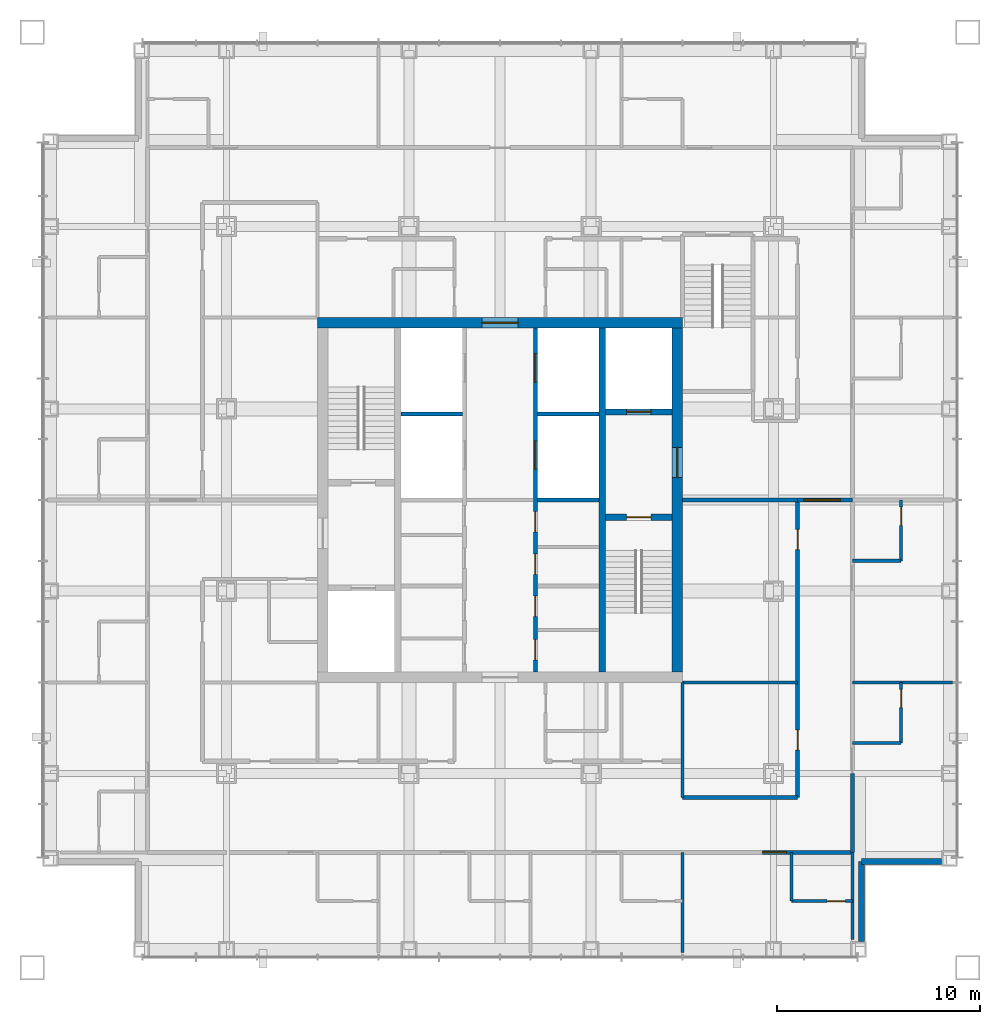
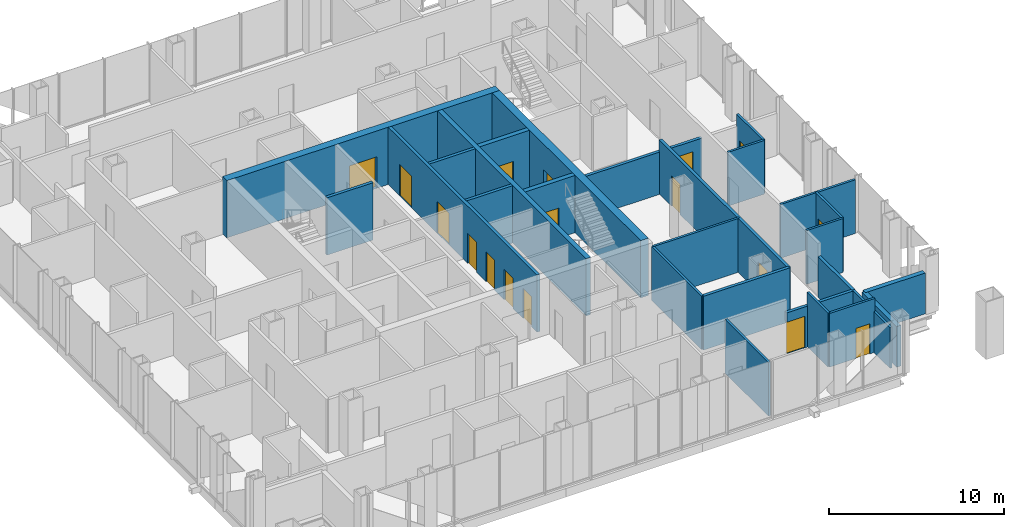
# One storey, part 8 of 11: 28 walls, 17 doors, 17 openings.
"""IFC4 building model written with IfcOpenShell, lengths in metres."""

from ifc_helpers import new_model, si_unit, direction, frame, frame_2d, origin, place, context, subcontext, project, spatial, rectangle, extrude, material, layer, layer_set, type_object, element, fill, save


model = new_model("IFC4")

# Units and contexts
model_context = context("Model", 3, precision=1e-05, world=origin(), true_north=direction((0.0, 1.0)))
body_context = subcontext(model_context, "Body", "Model", "MODEL_VIEW")
ifc_project = project(units=[si_unit("LENGTHUNIT", "METRE"), si_unit("AREAUNIT", "SQUARE_METRE"), si_unit("VOLUMEUNIT", "CUBIC_METRE"), si_unit("PLANEANGLEUNIT", "RADIAN"), si_unit("MASSUNIT", "GRAM", prefix="KILO")], contexts=[model_context])

# Site, building, storey
site_placement = place(None, origin())
site = spatial("IfcSite", under=ifc_project, at=site_placement, CompositionType="ELEMENT")
building_placement = place(site_placement, origin())
building = spatial("IfcBuilding", under=site, at=building_placement, Name="Malebo Sky Hospital", CompositionType="ELEMENT")
storey_placement = place(building_placement, frame((0.0, 0.0, 201.0)))
storey = spatial("IfcBuildingStorey", under=building, at=storey_placement, Name="L48", CompositionType="ELEMENT", Elevation=201.0)

# Wall, openings, doors
ifc_material_1 = material(Name="Concrete C80/95", Category="concrete")
ifc_layer_1 = layer(ifc_material_1, 0.199951171875)
ifc_layer_set_1 = layer_set([ifc_layer_1], Name="CORE INNER WALL 200")
wall_type_1 = type_object("IfcWallType", Name="CORE INNER WALL 200", PredefinedType="SHEAR", material=ifc_layer_set_1)
wall_1_placement = place(storey_placement, frame((61.75, 53.5, 0.0), z_axis=(0.0, 0.0, 1.0), x_axis=(0.0, 1.0, 0.0)))
wall_1 = element("IfcWall", 1, at=wall_1_placement, inside=storey, type_object=wall_type_1, Name="Core wall LE L48", PredefinedType="SHEAR", context=body_context, shape_type="SweptSolid", body=[
    extrude(rectangle(XDim=17.0, YDim=0.199951171875, at=frame_2d((8.5, 0.0))), origin(), (0.0, 0.0, 1.0), 4.0),
])
opening_1_placement = place(wall_1_placement, frame((0.60009765625, 0.0, 0.0)))
opening_1 = element("IfcOpeningElement", 2, at=opening_1_placement, cuts=wall_1, Name="Opening D17", PredefinedType="OPENING", context=body_context, shape_type="SweptSolid", body=[
    extrude(rectangle(XDim=1.0, YDim=2.10009765625, at=frame_2d((0.5, 1.050048828125))), frame((0.0, 0.10986328125, 0.0), z_axis=(0.0, -1.0, 0.0), x_axis=(1.0, 0.0, 0.0)), (0.0, 0.0, 1.0), 0.219970703125),
])
opening_2_placement = place(wall_1_placement, frame((2.75, 0.0, 0.0)))
opening_2 = element("IfcOpeningElement", 3, at=opening_2_placement, cuts=wall_1, Name="Opening D17", PredefinedType="OPENING", context=body_context, shape_type="SweptSolid", body=[
    extrude(rectangle(XDim=1.0, YDim=2.10009765625, at=frame_2d((0.5, 1.050048828125))), frame((0.0, 0.10986328125, 0.0), z_axis=(0.0, -1.0, 0.0), x_axis=(1.0, 0.0, 0.0)), (0.0, 0.0, 1.0), 0.219970703125),
])
opening_3_placement = place(wall_1_placement, frame((4.823974609375, 0.0, 0.0)))
opening_3 = element("IfcOpeningElement", 4, at=opening_3_placement, cuts=wall_1, Name="Opening D17", PredefinedType="OPENING", context=body_context, shape_type="SweptSolid", body=[
    extrude(rectangle(XDim=1.0, YDim=2.10009765625, at=frame_2d((0.5, 1.050048828125))), frame((0.0, 0.10986328125, 0.0), z_axis=(0.0, -1.0, 0.0), x_axis=(1.0, 0.0, 0.0)), (0.0, 0.0, 1.0), 0.219970703125),
])
opening_4_placement = place(wall_1_placement, frame((6.924072265625, 0.0, 0.0)))
opening_4 = element("IfcOpeningElement", 5, at=opening_4_placement, cuts=wall_1, Name="Opening D17", PredefinedType="OPENING", context=body_context, shape_type="SweptSolid", body=[
    extrude(rectangle(XDim=1.0, YDim=2.10009765625, at=frame_2d((0.5, 1.050048828125))), frame((0.0, 0.10986328125, 0.0), z_axis=(0.0, -1.0, 0.0), x_axis=(1.0, 0.0, 0.0)), (0.0, 0.0, 1.0), 0.219970703125),
])
opening_5_placement = place(wall_1_placement, frame((10.02490234375, 0.0, 0.0)))
opening_5 = element("IfcOpeningElement", 6, at=opening_5_placement, cuts=wall_1, Name="Opening LD1", PredefinedType="OPENING", context=body_context, shape_type="SweptSolid", body=[
    extrude(rectangle(XDim=1.39990234375, YDim=2.199951171875, at=frame_2d((0.699951171875, 1.10009765625))), frame((0.0, 0.10986328125, 0.0), z_axis=(0.0, -1.0, 0.0), x_axis=(1.0, 0.0, 0.0)), (0.0, 0.0, 1.0), 0.219970703125),
])
opening_6_placement = place(wall_1_placement, frame((14.324951171875, 0.0, 0.0)))
opening_6 = element("IfcOpeningElement", 7, at=opening_6_placement, cuts=wall_1, Name="Opening LD1", PredefinedType="OPENING", context=body_context, shape_type="SweptSolid", body=[
    extrude(rectangle(XDim=1.39990234375, YDim=2.199951171875, at=frame_2d((0.699951171875, 1.10009765625))), frame((0.0, 0.10986328125, 0.0), z_axis=(0.0, -1.0, 0.0), x_axis=(1.0, 0.0, 0.0)), (0.0, 0.0, 1.0), 0.219970703125),
])
ifc_material_2 = material(Name="Hardwood-faced door leaf in steel frame", Category="steel")
door_type_1 = type_object("IfcDoorType", Name="FIRE DOOR 1000", OperationType="SINGLE_SWING_LEFT", PredefinedType="DOOR", material=ifc_material_2)
door_1_placement = place(opening_1_placement, origin())
door_1 = element("IfcDoor", 8, at=door_1_placement, inside=storey, type_object=door_type_1, Name="Supplies store door", OperationType="SINGLE_SWING_RIGHT", OverallHeight=2.10009765625, OverallWidth=1.0, PredefinedType="DOOR", context=body_context, shape_type="SweptSolid", body=[
    extrude(rectangle(XDim=1.0, YDim=2.10009765625, at=frame_2d((0.5, 1.050048828125))), frame((0.0, 0.02490234375, 0.0), z_axis=(0.0, -1.0, 0.0), x_axis=(1.0, 0.0, 0.0)), (0.0, 0.0, 1.0), 0.050048828125),
])
fill(opening_1, door_1)
door_2_placement = place(opening_2_placement, origin())
door_2 = element("IfcDoor", 9, at=door_2_placement, inside=storey, type_object=door_type_1, Name="Mattress store door", OperationType="SINGLE_SWING_RIGHT", OverallHeight=2.10009765625, OverallWidth=1.0, PredefinedType="DOOR", context=body_context, shape_type="SweptSolid", body=[
    extrude(rectangle(XDim=1.0, YDim=2.10009765625, at=frame_2d((0.5, 1.050048828125))), frame((0.0, 0.02490234375, 0.0), z_axis=(0.0, -1.0, 0.0), x_axis=(1.0, 0.0, 0.0)), (0.0, 0.0, 1.0), 0.050048828125),
])
fill(opening_2, door_2)
door_3_placement = place(opening_3_placement, origin())
door_3 = element("IfcDoor", 10, at=door_3_placement, inside=storey, type_object=door_type_1, Name="Cleaning equipment store door", OperationType="SINGLE_SWING_RIGHT", OverallHeight=2.10009765625, OverallWidth=1.0, PredefinedType="DOOR", context=body_context, shape_type="SweptSolid", body=[
    extrude(rectangle(XDim=1.0, YDim=2.10009765625, at=frame_2d((0.5, 1.050048828125))), frame((0.0, 0.02490234375, 0.0), z_axis=(0.0, -1.0, 0.0), x_axis=(1.0, 0.0, 0.0)), (0.0, 0.0, 1.0), 0.050048828125),
])
fill(opening_3, door_3)
door_4_placement = place(opening_4_placement, origin())
door_4 = element("IfcDoor", 11, at=door_4_placement, inside=storey, type_object=door_type_1, Name="Archive store door", OperationType="SINGLE_SWING_RIGHT", OverallHeight=2.10009765625, OverallWidth=1.0, PredefinedType="DOOR", context=body_context, shape_type="SweptSolid", body=[
    extrude(rectangle(XDim=1.0, YDim=2.10009765625, at=frame_2d((0.5, 1.050048828125))), frame((0.0, 0.02490234375, 0.0), z_axis=(0.0, -1.0, 0.0), x_axis=(1.0, 0.0, 0.0)), (0.0, 0.0, 1.0), 0.050048828125),
])
fill(opening_4, door_4)
ifc_material_3 = material(Name="Stainless steel sliding landing door", Category="steel")
door_type_2 = type_object("IfcDoorType", Name="LIFT LANDING DOOR 1400", OperationType="SLIDING_TO_LEFT", PredefinedType="DOOR", material=ifc_material_3)
door_5_placement = place(opening_5_placement, origin())
door_5 = element("IfcDoor", 12, at=door_5_placement, inside=storey, type_object=door_type_2, Name="Lift E3 landing door", OperationType="SLIDING_TO_LEFT", OverallHeight=2.199951171875, OverallWidth=1.39990234375, PredefinedType="DOOR", context=body_context, shape_type="SweptSolid", body=[
    extrude(rectangle(XDim=1.39990234375, YDim=2.199951171875, at=frame_2d((0.699951171875, 1.10009765625))), frame((0.0, 0.02490234375, 0.0), z_axis=(0.0, -1.0, 0.0), x_axis=(1.0, 0.0, 0.0)), (0.0, 0.0, 1.0), 0.050048828125),
])
fill(opening_5, door_5)
door_6_placement = place(opening_6_placement, origin())
door_6 = element("IfcDoor", 13, at=door_6_placement, inside=storey, type_object=door_type_2, Name="Lift E4 landing door", OperationType="SLIDING_TO_LEFT", OverallHeight=2.199951171875, OverallWidth=1.39990234375, PredefinedType="DOOR", context=body_context, shape_type="SweptSolid", body=[
    extrude(rectangle(XDim=1.39990234375, YDim=2.199951171875, at=frame_2d((0.699951171875, 1.10009765625))), frame((0.0, 0.02490234375, 0.0), z_axis=(0.0, -1.0, 0.0), x_axis=(1.0, 0.0, 0.0)), (0.0, 0.0, 1.0), 0.050048828125),
])
fill(opening_6, door_6)

# Walls
for number, where, z_axis, x_axis, name in (
    (14, (61.85009765625, 62.0, 0.0), (0.0, 0.0, 1.0), (1.0, 0.0, 0.0), "Core wall SE1 L48"),
    (15, (55.10009765625, 66.25, 0.0), (0.0, 0.0, 1.0), (1.0, 0.0, 0.0), "Core wall SW2 L48"),
    (16, (61.85009765625, 66.25, 0.0), (0.0, 0.0, 1.0), (1.0, 0.0, 0.0), "Core wall SE2 L48"),
):
    element("IfcWall", number, at=place(storey_placement, frame(where, z_axis=z_axis, x_axis=x_axis)), inside=storey, type_object=wall_type_1, Name=name, PredefinedType="SHEAR", context=body_context, shape_type="SweptSolid", body=[
        extrude(rectangle(XDim=3.0498046875, YDim=0.199951171875, at=frame_2d((1.52490234375, 0.0))), origin(), (0.0, 0.0, 1.0), 4.0),
    ])
ifc_layer_2 = layer(ifc_material_1, 0.300048828125)
ifc_layer_set_2 = layer_set([ifc_layer_2], Name="CORE INNER WALL 300")
wall_type_2 = type_object("IfcWallType", Name="CORE INNER WALL 300", PredefinedType="SHEAR", material=ifc_layer_set_2)
wall_2_placement = place(storey_placement, frame((65.050048828125, 53.5, 0.0), z_axis=(0.0, 0.0, 1.0), x_axis=(0.0, 1.0, 0.0)))
element("IfcWall", 17, at=wall_2_placement, inside=storey, type_object=wall_type_2, Name="Core wall XE L48", PredefinedType="SHEAR", context=body_context, shape_type="SweptSolid", body=[
    extrude(rectangle(XDim=17.0, YDim=0.300048828125, at=frame_2d((8.5, 0.0))), origin(), (0.0, 0.0, 1.0), 4.0),
])

# Wall, opening, door
wall_3_placement = place(storey_placement, frame((65.199951171875, 61.14990234375, 0.0), z_axis=(0.0, 0.0, 1.0), x_axis=(1.0, 0.0, 0.0)))
wall_3 = element("IfcWall", 18, at=wall_3_placement, inside=storey, type_object=wall_type_2, Name="Core wall E1 L48", PredefinedType="SHEAR", context=body_context, shape_type="SweptSolid", body=[
    extrude(rectangle(XDim=3.300048828125, YDim=0.300048828125, at=frame_2d((1.64990234375, 0.0))), origin(), (0.0, 0.0, 1.0), 4.0),
])
opening_7_placement = place(wall_3_placement, frame((1.050048828125, 0.0, 0.0)))
opening_7 = element("IfcOpeningElement", 19, at=opening_7_placement, cuts=wall_3, Name="Opening D08", PredefinedType="OPENING", context=body_context, shape_type="SweptSolid", body=[
    extrude(rectangle(XDim=1.199951171875, YDim=2.10009765625, at=frame_2d((0.60009765625, 1.050048828125))), frame((0.0, 0.159912109375, 0.0), z_axis=(0.0, -1.0, 0.0), x_axis=(1.0, 0.0, 0.0)), (0.0, 0.0, 1.0), 0.320068359375),
])
door_type_3 = type_object("IfcDoorType", Name="STAIR DOOR 1200", OperationType="SINGLE_SWING_LEFT", PredefinedType="DOOR", material=ifc_material_2)
door_7_placement = place(opening_7_placement, origin())
door_7 = element("IfcDoor", 20, at=door_7_placement, inside=storey, type_object=door_type_3, Name="Stair S2 door", OperationType="SINGLE_SWING_LEFT", OverallHeight=2.10009765625, OverallWidth=1.199951171875, PredefinedType="DOOR", context=body_context, shape_type="SweptSolid", body=[
    extrude(rectangle(XDim=1.199951171875, YDim=2.10009765625, at=frame_2d((0.60009765625, 1.050048828125))), frame((0.0, 0.02490234375, 0.0), z_axis=(0.0, -1.0, 0.0), x_axis=(1.0, 0.0, 0.0)), (0.0, 0.0, 1.0), 0.050048828125),
])
fill(opening_7, door_7)

wall_4_placement = place(storey_placement, frame((65.199951171875, 66.35009765625, 0.0), z_axis=(0.0, 0.0, 1.0), x_axis=(1.0, 0.0, 0.0)))
wall_4 = element("IfcWall", 21, at=wall_4_placement, inside=storey, type_object=wall_type_2, Name="Core wall E2 L48", PredefinedType="SHEAR", context=body_context, shape_type="SweptSolid", body=[
    extrude(rectangle(XDim=3.300048828125, YDim=0.300048828125, at=frame_2d((1.64990234375, 0.0))), origin(), (0.0, 0.0, 1.0), 4.0),
])
opening_8_placement = place(wall_4_placement, frame((1.050048828125, 0.0, 0.0)))
opening_8 = element("IfcOpeningElement", 22, at=opening_8_placement, cuts=wall_4, Name="Opening LD2", PredefinedType="OPENING", context=body_context, shape_type="SweptSolid", body=[
    extrude(rectangle(XDim=1.199951171875, YDim=2.199951171875, at=frame_2d((0.60009765625, 1.10009765625))), frame((0.0, 0.159912109375, 0.0), z_axis=(0.0, -1.0, 0.0), x_axis=(1.0, 0.0, 0.0)), (0.0, 0.0, 1.0), 0.320068359375),
])
door_type_4 = type_object("IfcDoorType", Name="FIRE-FIGHTING LIFT LANDING DOOR 1200", OperationType="SLIDING_TO_LEFT", PredefinedType="DOOR", material=ifc_material_3)
door_8_placement = place(opening_8_placement, origin())
door_8 = element("IfcDoor", 23, at=door_8_placement, inside=storey, type_object=door_type_4, Name="Lift FL2 landing door", OperationType="SLIDING_TO_LEFT", OverallHeight=2.199951171875, OverallWidth=1.199951171875, PredefinedType="DOOR", context=body_context, shape_type="SweptSolid", body=[
    extrude(rectangle(XDim=1.199951171875, YDim=2.199951171875, at=frame_2d((0.60009765625, 1.10009765625))), frame((0.0, 0.02490234375, 0.0), z_axis=(0.0, -1.0, 0.0), x_axis=(1.0, 0.0, 0.0)), (0.0, 0.0, 1.0), 0.050048828125),
])
fill(opening_8, door_8)

ifc_layer_3 = layer(ifc_material_1, 0.5)
ifc_layer_set_3 = layer_set([ifc_layer_3], Name="CORE WALL 500")
wall_type_3 = type_object("IfcWallType", Name="CORE WALL 500", PredefinedType="SHEAR", material=ifc_layer_set_3)
wall_5_placement = place(storey_placement, frame((51.0, 70.75, 0.0), z_axis=(0.0, 0.0, 1.0), x_axis=(1.0, 0.0, 0.0)))
wall_5 = element("IfcWall", 24, at=wall_5_placement, inside=storey, type_object=wall_type_3, Name="Core wall N L48", PredefinedType="SHEAR", context=body_context, shape_type="SweptSolid", body=[
    extrude(rectangle(XDim=18.0, YDim=0.5, at=frame_2d((9.0, 0.0))), origin(), (0.0, 0.0, 1.0), 4.0),
])
opening_9_placement = place(wall_5_placement, frame((8.10009765625, 0.0, 0.0)))
opening_9 = element("IfcOpeningElement", 25, at=opening_9_placement, cuts=wall_5, Name="Opening D06", PredefinedType="OPENING", context=body_context, shape_type="SweptSolid", body=[
    extrude(rectangle(XDim=1.800048828125, YDim=2.199951171875, at=frame_2d((0.89990234375, 1.10009765625))), frame((0.0, 0.260009765625, 0.0), z_axis=(0.0, -1.0, 0.0), x_axis=(1.0, 0.0, 0.0)), (0.0, 0.0, 1.0), 0.52001953125),
])
door_type_5 = type_object("IfcDoorType", Name="LOBBY DOOR PAIR 1800", OperationType="DOUBLE_DOOR_SINGLE_SWING", PredefinedType="DOOR", material=ifc_material_2)
door_9_placement = place(opening_9_placement, origin())
door_9 = element("IfcDoor", 26, at=door_9_placement, inside=storey, type_object=door_type_5, Name="Lift lobby door north", OperationType="DOUBLE_DOOR_SINGLE_SWING", OverallHeight=2.199951171875, OverallWidth=1.800048828125, PredefinedType="DOOR", context=body_context, shape_type="SweptSolid", body=[
    extrude(rectangle(XDim=1.800048828125, YDim=2.199951171875, at=frame_2d((0.89990234375, 1.10009765625))), frame((0.0, 0.02490234375, 0.0), z_axis=(0.0, -1.0, 0.0), x_axis=(1.0, 0.0, 0.0)), (0.0, 0.0, 1.0), 0.050048828125),
])
fill(opening_9, door_9)

wall_6_placement = place(storey_placement, frame((68.75, 53.5, 0.0), z_axis=(0.0, 0.0, 1.0), x_axis=(0.0, 1.0, 0.0)))
wall_6 = element("IfcWall", 27, at=wall_6_placement, inside=storey, type_object=wall_type_3, Name="Core wall E L48", PredefinedType="SHEAR", context=body_context, shape_type="SweptSolid", body=[
    extrude(rectangle(XDim=17.0, YDim=0.5, at=frame_2d((8.5, 0.0))), origin(), (0.0, 0.0, 1.0), 4.0),
])
opening_10_placement = place(wall_6_placement, frame((9.60009765625, 0.0, 0.0)))
opening_10 = element("IfcOpeningElement", 28, at=opening_10_placement, cuts=wall_6, Name="Opening D07", PredefinedType="OPENING", context=body_context, shape_type="SweptSolid", body=[
    extrude(rectangle(XDim=1.5, YDim=2.199951171875, at=frame_2d((0.75, 1.10009765625))), frame((0.0, 0.260009765625, 0.0), z_axis=(0.0, -1.0, 0.0), x_axis=(1.0, 0.0, 0.0)), (0.0, 0.0, 1.0), 0.52001953125),
])
door_type_6 = type_object("IfcDoorType", Name="FIRE-FIGHTING LOBBY DOOR PAIR 1500", OperationType="DOUBLE_DOOR_SINGLE_SWING", PredefinedType="DOOR", material=ifc_material_2)
door_10_placement = place(opening_10_placement, origin())
door_10 = element("IfcDoor", 29, at=door_10_placement, inside=storey, type_object=door_type_6, Name="Fire-fighting lobby door east", OperationType="DOUBLE_DOOR_SINGLE_SWING", OverallHeight=2.199951171875, OverallWidth=1.5, PredefinedType="DOOR", context=body_context, shape_type="SweptSolid", body=[
    extrude(rectangle(XDim=1.5, YDim=2.199951171875, at=frame_2d((0.75, 1.10009765625))), frame((0.0, 0.02490234375, 0.0), z_axis=(0.0, -1.0, 0.0), x_axis=(1.0, 0.0, 0.0)), (0.0, 0.0, 1.0), 0.050048828125),
])
fill(opening_10, door_10)

ifc_material_4 = material(Name="Gypsum board on steel studs", Category="steel")
ifc_layer_4 = layer(ifc_material_4, 0.199951171875)
ifc_layer_set_4 = layer_set([ifc_layer_4], Name="CORRIDOR WALL 200")
wall_type_4 = type_object("IfcWallType", Name="CORRIDOR WALL 200", PredefinedType="PARTITIONING", material=ifc_layer_set_4)
wall_7_placement = place(storey_placement, frame((77.39990234375, 44.60009765625, 0.0), z_axis=(0.0, 0.0, 1.0), x_axis=(-1.0, 0.0, 0.0)))
wall_7 = element("IfcWall", 30, at=wall_7_placement, inside=storey, type_object=wall_type_4, Name="Corridor Wall 200 SCO", PredefinedType="PARTITIONING", context=body_context, shape_type="SweptSolid", body=[
    extrude(rectangle(XDim=4.449951171875, YDim=0.199951171875, at=frame_2d((2.22509765625, 0.0))), origin(), (0.0, 0.0, 1.0), 2.85009765625),
])
opening_11_placement = place(wall_7_placement, frame((3.25, 0.0, 0.0)))
opening_11 = element("IfcOpeningElement", 31, at=opening_11_placement, cuts=wall_7, Name="Opening D01", PredefinedType="OPENING", context=body_context, shape_type="SweptSolid", body=[
    extrude(rectangle(XDim=1.199951171875, YDim=2.199951171875, at=frame_2d((0.60009765625, 1.10009765625))), frame((0.0, 0.10986328125, 0.0), z_axis=(0.0, -1.0, 0.0), x_axis=(1.0, 0.0, 0.0)), (0.0, 0.0, 1.0), 0.219970703125),
])
door_type_7 = type_object("IfcDoorType", Name="BED DOOR 1200", OperationType="SINGLE_SWING_LEFT", PredefinedType="DOOR", material=ifc_material_2)
door_11_placement = place(opening_11_placement, origin())
door_11 = element("IfcDoor", 32, at=door_11_placement, inside=storey, type_object=door_type_7, Name="Birthing room door", OperationType="SINGLE_SWING_LEFT", OverallHeight=2.199951171875, OverallWidth=1.199951171875, PredefinedType="DOOR", context=body_context, shape_type="SweptSolid", body=[
    extrude(rectangle(XDim=1.199951171875, YDim=2.199951171875, at=frame_2d((0.60009765625, 1.10009765625))), frame((0.0, 0.02490234375, 0.0), z_axis=(0.0, -1.0, 0.0), x_axis=(1.0, 0.0, 0.0)), (0.0, 0.0, 1.0), 0.050048828125),
])
fill(opening_11, door_11)

# Walls
wall_8_placement = place(storey_placement, frame((74.699951171875, 47.300048828125, 0.0), z_axis=(0.0, 0.0, 1.0), x_axis=(-1.0, 0.0, 0.0)))
element("IfcWall", 33, at=wall_8_placement, inside=storey, type_object=wall_type_4, Name="Corridor Wall 200 SCIK", PredefinedType="PARTITIONING", context=body_context, shape_type="SweptSolid", body=[
    extrude(rectangle(XDim=5.699951171875, YDim=0.199951171875, at=frame_2d((2.85009765625, 0.0))), origin(), (0.0, 0.0, 1.0), 3.75),
])
wall_9_placement = place(storey_placement, frame((77.39990234375, 48.5, 0.0), z_axis=(0.0, 0.0, 1.0), x_axis=(0.0, -1.0, 0.0)))
element("IfcWall", 34, at=wall_9_placement, inside=storey, type_object=wall_type_4, Name="Corridor Wall 200 ECO", PredefinedType="PARTITIONING", context=body_context, shape_type="SweptSolid", body=[
    extrude(rectangle(XDim=3.89990234375, YDim=0.199951171875, at=frame_2d((1.949951171875, 0.0))), origin(), (0.0, 0.0, 1.0), 2.85009765625),
])

# Wall, openings, doors
wall_10_placement = place(storey_placement, frame((74.699951171875, 62.0, 0.0), z_axis=(0.0, 0.0, 1.0), x_axis=(0.0, -1.0, 0.0)))
wall_10 = element("IfcWall", 35, at=wall_10_placement, inside=storey, type_object=wall_type_4, Name="Corridor Wall 200 ECI2", PredefinedType="PARTITIONING", context=body_context, shape_type="SweptSolid", body=[
    extrude(rectangle(XDim=14.699951171875, YDim=0.199951171875, at=frame_2d((7.35009765625, 0.0))), origin(), (0.0, 0.0, 1.0), 3.75),
])
opening_12_placement = place(wall_10_placement, frame((1.449951171875, 0.0, 0.0)))
opening_12 = element("IfcOpeningElement", 36, at=opening_12_placement, cuts=wall_10, Name="Opening D03", PredefinedType="OPENING", context=body_context, shape_type="SweptSolid", body=[
    extrude(rectangle(XDim=1.0, YDim=2.10009765625, at=frame_2d((0.5, 1.050048828125))), frame((0.0, 0.10986328125, 0.0), z_axis=(0.0, -1.0, 0.0), x_axis=(1.0, 0.0, 0.0)), (0.0, 0.0, 1.0), 0.219970703125),
])
opening_13_placement = place(wall_10_placement, frame((11.35009765625, 0.0, 0.0)))
opening_13 = element("IfcOpeningElement", 37, at=opening_13_placement, cuts=wall_10, Name="Opening D03", PredefinedType="OPENING", context=body_context, shape_type="SweptSolid", body=[
    extrude(rectangle(XDim=1.0, YDim=2.10009765625, at=frame_2d((0.5, 1.050048828125))), frame((0.0, 0.10986328125, 0.0), z_axis=(0.0, -1.0, 0.0), x_axis=(1.0, 0.0, 0.0)), (0.0, 0.0, 1.0), 0.219970703125),
])
door_type_8 = type_object("IfcDoorType", Name="ROOM DOOR 1000", OperationType="SINGLE_SWING_LEFT", PredefinedType="DOOR", material=ifc_material_2)
door_12_placement = place(opening_12_placement, origin())
door_12 = element("IfcDoor", 38, at=door_12_placement, inside=storey, type_object=door_type_8, Name="Staff rest room door", OperationType="SINGLE_SWING_LEFT", OverallHeight=2.10009765625, OverallWidth=1.0, PredefinedType="DOOR", context=body_context, shape_type="SweptSolid", body=[
    extrude(rectangle(XDim=1.0, YDim=2.10009765625, at=frame_2d((0.5, 1.050048828125))), frame((0.0, 0.02490234375, 0.0), z_axis=(0.0, -1.0, 0.0), x_axis=(1.0, 0.0, 0.0)), (0.0, 0.0, 1.0), 0.050048828125),
])
fill(opening_12, door_12)
door_13_placement = place(opening_13_placement, origin())
door_13 = element("IfcDoor", 39, at=door_13_placement, inside=storey, type_object=door_type_8, Name="Staff base door", OperationType="SINGLE_SWING_RIGHT", OverallHeight=2.10009765625, OverallWidth=1.0, PredefinedType="DOOR", context=body_context, shape_type="SweptSolid", body=[
    extrude(rectangle(XDim=1.0, YDim=2.10009765625, at=frame_2d((0.5, 1.050048828125))), frame((0.0, 0.02490234375, 0.0), z_axis=(0.0, -1.0, 0.0), x_axis=(1.0, 0.0, 0.0)), (0.0, 0.0, 1.0), 0.050048828125),
])
fill(opening_13, door_13)

# Walls
ifc_material_5 = material(Name="Anodised aluminium rainscreen on steel framing", Category="steel")
ifc_layer_5 = layer(ifc_material_5, 0.300048828125)
ifc_layer_set_5 = layer_set([ifc_layer_5], Name="NOTCH RAINSCREEN WALL 300")
wall_type_5 = type_object("IfcWallType", Name="NOTCH RAINSCREEN WALL 300", PredefinedType="ELEMENTEDWALL", material=ifc_layer_set_5)
for number, where, z_axis, x_axis, name in (
    (40, (81.800048828125, 44.14990234375, 0.0), (0.0, 0.0, 1.0), (-1.0, 0.0, 0.0), "Notch rainscreen wall E1 L48"),
    (41, (77.85009765625, 44.14990234375, 0.0), (0.0, 0.0, 1.0), (0.0, -1.0, 0.0), "Notch rainscreen wall E2 L48"),
):
    element("IfcWall", number, at=place(storey_placement, frame(where, z_axis=z_axis, x_axis=x_axis)), inside=storey, type_object=wall_type_5, Name=name, PredefinedType="ELEMENTEDWALL", context=body_context, shape_type="SweptSolid", body=[
        extrude(rectangle(XDim=3.949951171875, YDim=0.300048828125, at=frame_2d((1.97509765625, 0.0))), origin(), (0.0, 0.0, 1.0), 2.85009765625),
    ])
ifc_layer_6 = layer(ifc_material_4, 0.14990234375)
ifc_layer_set_6 = layer_set([ifc_layer_6], Name="PARTITION 150")
wall_type_6 = type_object("IfcWallType", Name="PARTITION 150", PredefinedType="PARTITIONING", material=ifc_layer_set_6)
wall_11_placement = place(storey_placement, frame((69.0, 44.60009765625, 0.0), z_axis=(0.0, 0.0, 1.0), x_axis=(0.0, -1.0, 0.0)))
element("IfcWall", 42, at=wall_11_placement, inside=storey, type_object=wall_type_6, Name="Partition 150 SP-9.0", PredefinedType="PARTITIONING", context=body_context, shape_type="SweptSolid", body=[
    extrude(rectangle(XDim=4.9501953125, YDim=0.14990234375, at=frame_2d((2.47509765625, 0.0))), origin(), (0.0, 0.0, 1.0), 3.75),
])
wall_12_placement = place(storey_placement, frame((77.39990234375, 44.60009765625, 0.0), z_axis=(0.0, 0.0, 1.0), x_axis=(0.0, -1.0, 0.0)))
element("IfcWall", 43, at=wall_12_placement, inside=storey, type_object=wall_type_6, Name="Partition 150 SP0", PredefinedType="PARTITIONING", context=body_context, shape_type="SweptSolid", body=[
    extrude(rectangle(XDim=4.300048828125, YDim=0.14990234375, at=frame_2d((2.14990234375, 0.0))), origin(), (0.0, 0.0, 1.0), 2.85009765625),
])

# Wall, opening, door
wall_13_placement = place(storey_placement, frame((77.39990234375, 42.199951171875, 0.0), z_axis=(0.0, 0.0, 1.0), x_axis=(-1.0, 0.0, 0.0)))
wall_13 = element("IfcWall", 44, at=wall_13_placement, inside=storey, type_object=wall_type_6, Name="Partition 150 SE0F", PredefinedType="PARTITIONING", context=body_context, shape_type="SweptSolid", body=[
    extrude(rectangle(XDim=3.0, YDim=0.14990234375, at=frame_2d((1.5, 0.0))), origin(), (0.0, 0.0, 1.0), 3.75),
])
opening_14_placement = place(wall_13_placement, frame((0.35009765625, 0.0, 0.0)))
opening_14 = element("IfcOpeningElement", 45, at=opening_14_placement, cuts=wall_13, Name="Opening D02", PredefinedType="OPENING", context=body_context, shape_type="SweptSolid", body=[
    extrude(rectangle(XDim=0.89990234375, YDim=2.10009765625, at=frame_2d((0.449951171875, 1.050048828125))), frame((0.0, 0.0849609375, 0.0), z_axis=(0.0, -1.0, 0.0), x_axis=(1.0, 0.0, 0.0)), (0.0, 0.0, 1.0), 0.169921875),
])
door_type_9 = type_object("IfcDoorType", Name="EN-SUITE DOOR 900", OperationType="SINGLE_SWING_LEFT", PredefinedType="DOOR", material=ifc_material_2)
door_14_placement = place(opening_14_placement, origin())
door_14 = element("IfcDoor", 46, at=door_14_placement, inside=storey, type_object=door_type_9, Name="En-suite door", OperationType="SINGLE_SWING_LEFT", OverallHeight=2.10009765625, OverallWidth=0.89990234375, PredefinedType="DOOR", context=body_context, shape_type="SweptSolid", body=[
    extrude(rectangle(XDim=0.89990234375, YDim=2.10009765625, at=frame_2d((0.449951171875, 1.050048828125))), frame((0.0, 0.02490234375, 0.0), z_axis=(0.0, -1.0, 0.0), x_axis=(1.0, 0.0, 0.0)), (0.0, 0.0, 1.0), 0.050048828125),
])
fill(opening_14, door_14)

# Walls
wall_14_placement = place(storey_placement, frame((74.39990234375, 44.60009765625, 0.0), z_axis=(0.0, 0.0, 1.0), x_axis=(0.0, -1.0, 0.0)))
element("IfcWall", 47, at=wall_14_placement, inside=storey, type_object=wall_type_6, Name="Partition 150 SE0S", PredefinedType="PARTITIONING", context=body_context, shape_type="SweptSolid", body=[
    extrude(rectangle(XDim=2.400146484375, YDim=0.14990234375, at=frame_2d((1.2001953125, 0.0))), origin(), (0.0, 0.0, 1.0), 3.75),
])
wall_15_placement = place(storey_placement, frame((69.0, 53.0, 0.0), z_axis=(0.0, 0.0, 1.0), x_axis=(0.0, -1.0, 0.0)))
element("IfcWall", 48, at=wall_15_placement, inside=storey, type_object=wall_type_6, Name="Partition 150 SSP0", PredefinedType="PARTITIONING", context=body_context, shape_type="SweptSolid", body=[
    extrude(rectangle(XDim=5.699951171875, YDim=0.14990234375, at=frame_2d((2.85009765625, 0.0))), origin(), (0.0, 0.0, 1.0), 3.75),
])
wall_16_placement = place(storey_placement, frame((77.39990234375, 53.0, 0.0), z_axis=(0.0, 0.0, 1.0), x_axis=(1.0, 0.0, 0.0)))
element("IfcWall", 49, at=wall_16_placement, inside=storey, type_object=wall_type_6, Name="Partition 150 EP+9.0", PredefinedType="PARTITIONING", context=body_context, shape_type="SweptSolid", body=[
    extrude(rectangle(XDim=4.9501953125, YDim=0.14990234375, at=frame_2d((2.47509765625, 0.0))), origin(), (0.0, 0.0, 1.0), 3.75),
])

# Wall, opening, door
wall_17_placement = place(storey_placement, frame((79.800048828125, 62.0, 0.0), z_axis=(0.0, 0.0, 1.0), x_axis=(0.0, -1.0, 0.0)))
wall_17 = element("IfcWall", 50, at=wall_17_placement, inside=storey, type_object=wall_type_6, Name="Partition 150 EE2F", PredefinedType="PARTITIONING", context=body_context, shape_type="SweptSolid", body=[
    extrude(rectangle(XDim=3.0, YDim=0.14990234375, at=frame_2d((1.5, 0.0))), origin(), (0.0, 0.0, 1.0), 3.75),
])
opening_15_placement = place(wall_17_placement, frame((0.35009765625, 0.0, 0.0)))
opening_15 = element("IfcOpeningElement", 51, at=opening_15_placement, cuts=wall_17, Name="Opening D02", PredefinedType="OPENING", context=body_context, shape_type="SweptSolid", body=[
    extrude(rectangle(XDim=0.89990234375, YDim=2.10009765625, at=frame_2d((0.449951171875, 1.050048828125))), frame((0.0, 0.0849609375, 0.0), z_axis=(0.0, -1.0, 0.0), x_axis=(1.0, 0.0, 0.0)), (0.0, 0.0, 1.0), 0.169921875),
])
door_15_placement = place(opening_15_placement, origin())
door_15 = element("IfcDoor", 52, at=door_15_placement, inside=storey, type_object=door_type_9, Name="En-suite door", OperationType="SINGLE_SWING_LEFT", OverallHeight=2.10009765625, OverallWidth=0.89990234375, PredefinedType="DOOR", context=body_context, shape_type="SweptSolid", body=[
    extrude(rectangle(XDim=0.89990234375, YDim=2.10009765625, at=frame_2d((0.449951171875, 1.050048828125))), frame((0.0, 0.02490234375, 0.0), z_axis=(0.0, -1.0, 0.0), x_axis=(1.0, 0.0, 0.0)), (0.0, 0.0, 1.0), 0.050048828125),
])
fill(opening_15, door_15)

# Wall
wall_18_placement = place(storey_placement, frame((77.39990234375, 59.0, 0.0), z_axis=(0.0, 0.0, 1.0), x_axis=(1.0, 0.0, 0.0)))
element("IfcWall", 53, at=wall_18_placement, inside=storey, type_object=wall_type_6, Name="Partition 150 EE2S", PredefinedType="PARTITIONING", context=body_context, shape_type="SweptSolid", body=[
    extrude(rectangle(XDim=2.400146484375, YDim=0.14990234375, at=frame_2d((1.2001953125, 0.0))), origin(), (0.0, 0.0, 1.0), 3.75),
])

# Wall, opening, door
wall_19_placement = place(storey_placement, frame((79.800048828125, 53.0, 0.0), z_axis=(0.0, 0.0, 1.0), x_axis=(0.0, -1.0, 0.0)))
wall_19 = element("IfcWall", 54, at=wall_19_placement, inside=storey, type_object=wall_type_6, Name="Partition 150 EE3F", PredefinedType="PARTITIONING", context=body_context, shape_type="SweptSolid", body=[
    extrude(rectangle(XDim=3.0, YDim=0.14990234375, at=frame_2d((1.5, 0.0))), origin(), (0.0, 0.0, 1.0), 3.75),
])
opening_16_placement = place(wall_19_placement, frame((0.35009765625, 0.0, 0.0)))
opening_16 = element("IfcOpeningElement", 55, at=opening_16_placement, cuts=wall_19, Name="Opening D02", PredefinedType="OPENING", context=body_context, shape_type="SweptSolid", body=[
    extrude(rectangle(XDim=0.89990234375, YDim=2.10009765625, at=frame_2d((0.449951171875, 1.050048828125))), frame((0.0, 0.0849609375, 0.0), z_axis=(0.0, -1.0, 0.0), x_axis=(1.0, 0.0, 0.0)), (0.0, 0.0, 1.0), 0.169921875),
])
door_16_placement = place(opening_16_placement, origin())
door_16 = element("IfcDoor", 56, at=door_16_placement, inside=storey, type_object=door_type_9, Name="En-suite door", OperationType="SINGLE_SWING_LEFT", OverallHeight=2.10009765625, OverallWidth=0.89990234375, PredefinedType="DOOR", context=body_context, shape_type="SweptSolid", body=[
    extrude(rectangle(XDim=0.89990234375, YDim=2.10009765625, at=frame_2d((0.449951171875, 1.050048828125))), frame((0.0, 0.02490234375, 0.0), z_axis=(0.0, -1.0, 0.0), x_axis=(1.0, 0.0, 0.0)), (0.0, 0.0, 1.0), 0.050048828125),
])
fill(opening_16, door_16)

# Walls
wall_20_placement = place(storey_placement, frame((77.39990234375, 50.0, 0.0), z_axis=(0.0, 0.0, 1.0), x_axis=(1.0, 0.0, 0.0)))
element("IfcWall", 57, at=wall_20_placement, inside=storey, type_object=wall_type_6, Name="Partition 150 EE3S", PredefinedType="PARTITIONING", context=body_context, shape_type="SweptSolid", body=[
    extrude(rectangle(XDim=2.400146484375, YDim=0.14990234375, at=frame_2d((1.2001953125, 0.0))), origin(), (0.0, 0.0, 1.0), 3.75),
])
wall_21_placement = place(storey_placement, frame((69.0, 53.0, 0.0), z_axis=(0.0, 0.0, 1.0), x_axis=(1.0, 0.0, 0.0)))
element("IfcWall", 58, at=wall_21_placement, inside=storey, type_object=wall_type_6, Name="Partition 150 ESP+9.0", PredefinedType="PARTITIONING", context=body_context, shape_type="SweptSolid", body=[
    extrude(rectangle(XDim=5.699951171875, YDim=0.14990234375, at=frame_2d((2.85009765625, 0.0))), origin(), (0.0, 0.0, 1.0), 3.75),
])
ifc_material_6 = material(Name="Concrete blockwork", Category="masonry")
ifc_layer_7 = layer(ifc_material_6, 0.199951171875)
ifc_layer_set_7 = layer_set([ifc_layer_7], Name="SMOKE BARRIER WALL 200")
wall_type_7 = type_object("IfcWallType", Name="SMOKE BARRIER WALL 200", PredefinedType="SOLIDWALL", material=ifc_layer_set_7)
wall_22_placement = place(storey_placement, frame((69.0, 62.0, 0.0), z_axis=(0.0, 0.0, 1.0), x_axis=(1.0, 0.0, 0.0)))
element("IfcWall", 59, at=wall_22_placement, inside=storey, type_object=wall_type_7, Name="Smoke Barrier Wall 200 ESPB", PredefinedType="SOLIDWALL", context=body_context, shape_type="SweptSolid", body=[
    extrude(rectangle(XDim=5.699951171875, YDim=0.199951171875, at=frame_2d((2.85009765625, 0.0))), origin(), (0.0, 0.0, 1.0), 2.949951171875),
])

# Wall, opening, door
wall_23_placement = place(storey_placement, frame((74.699951171875, 62.0, 0.0), z_axis=(0.0, 0.0, 1.0), x_axis=(1.0, 0.0, 0.0)))
wall_23 = element("IfcWall", 60, at=wall_23_placement, inside=storey, type_object=wall_type_7, Name="Smoke Barrier Wall 200 ESB", PredefinedType="SOLIDWALL", context=body_context, shape_type="SweptSolid", body=[
    extrude(rectangle(XDim=2.699951171875, YDim=0.199951171875, at=frame_2d((1.35009765625, 0.0))), origin(), (0.0, 0.0, 1.0), 2.949951171875),
])
opening_17_placement = place(wall_23_placement, frame((0.300048828125, 0.0, 0.0)))
opening_17 = element("IfcOpeningElement", 61, at=opening_17_placement, cuts=wall_23, Name="Opening D05", PredefinedType="OPENING", context=body_context, shape_type="SweptSolid", body=[
    extrude(rectangle(XDim=1.800048828125, YDim=2.199951171875, at=frame_2d((0.89990234375, 1.10009765625))), frame((0.0, 0.10986328125, 0.0), z_axis=(0.0, -1.0, 0.0), x_axis=(1.0, 0.0, 0.0)), (0.0, 0.0, 1.0), 0.219970703125),
])
door_type_10 = type_object("IfcDoorType", Name="SMOKE DOOR PAIR 1800", OperationType="DOUBLE_DOOR_DOUBLE_SWING", PredefinedType="DOOR", material=ifc_material_2)
door_17_placement = place(opening_17_placement, origin())
door_17 = element("IfcDoor", 62, at=door_17_placement, inside=storey, type_object=door_type_10, Name="Smoke compartment door pair", OperationType="DOUBLE_DOOR_DOUBLE_SWING", OverallHeight=2.199951171875, OverallWidth=1.800048828125, PredefinedType="DOOR", context=body_context, shape_type="SweptSolid", body=[
    extrude(rectangle(XDim=1.800048828125, YDim=2.199951171875, at=frame_2d((0.89990234375, 1.10009765625))), frame((0.0, 0.02490234375, 0.0), z_axis=(0.0, -1.0, 0.0), x_axis=(1.0, 0.0, 0.0)), (0.0, 0.0, 1.0), 0.050048828125),
])
fill(opening_17, door_17)

save(model, "model.ifc")
